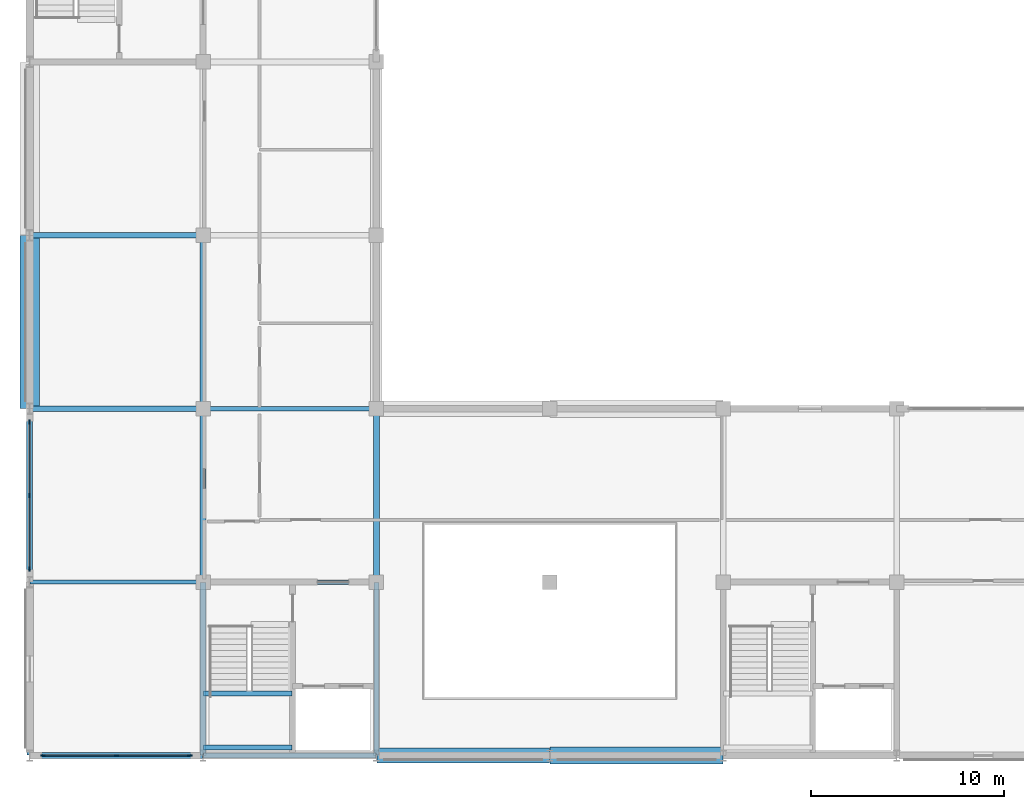
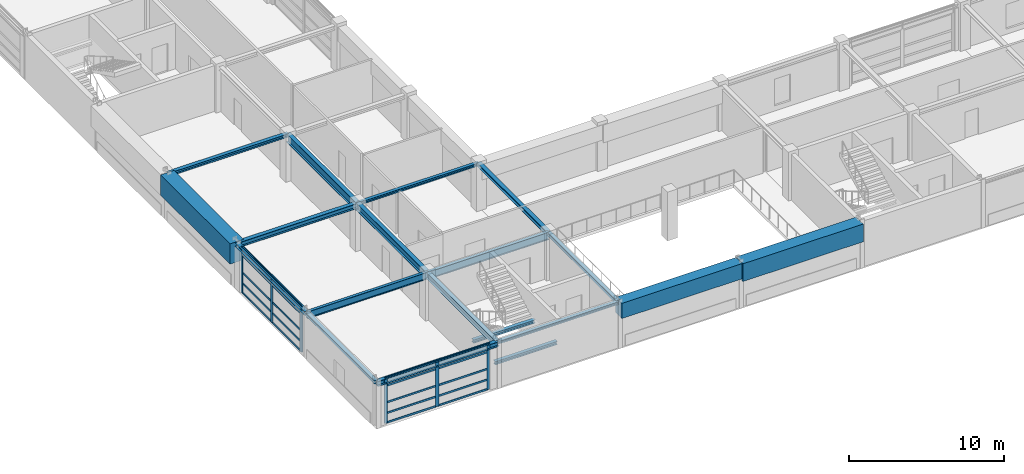
# One storey, part 19 of 79: 26 members, 19 beams, 2 elements without a shape of their own.
"""IFC4 building model written with IfcOpenShell, lengths in metres."""

from ifc_helpers import new_model, si_unit, direction, frame, origin, origin_2d, place, context, subcontext, project, spatial, rectangle, i_section, extrude, material, material_profile, profile_set, type_object, element, aggregate, save


model = new_model("IFC4")

# Units and contexts
model_context = context("Model", 3, precision=1e-05, world=origin(), true_north=direction((0.0, 1.0)))
body_context = subcontext(model_context, "Body", "Model", "MODEL_VIEW")
ifc_project = project(units=[si_unit("LENGTHUNIT", "METRE"), si_unit("AREAUNIT", "SQUARE_METRE"), si_unit("VOLUMEUNIT", "CUBIC_METRE"), si_unit("PLANEANGLEUNIT", "RADIAN"), si_unit("MASSUNIT", "GRAM", prefix="KILO")], contexts=[model_context])

# Site, building, storey
site_placement = place(None, origin())
site = spatial("IfcSite", under=ifc_project, at=site_placement, CompositionType="ELEMENT")
building_placement = place(site_placement, origin())
building = spatial("IfcBuilding", under=site, at=building_placement, Name="Palais des Congres Ocreval", CompositionType="ELEMENT")
storey_placement = place(building_placement, frame((0.0, 0.0, 4.320068359375)))
storey = spatial("IfcBuildingStorey", under=building, at=storey_placement, Name="L01", CompositionType="ELEMENT", Elevation=4.320068359375)

# Beams
ifc_material_1 = material(Name="Steel S355", Category="steel")
ifc_material_profile_1 = material_profile(ifc_material_1, i_section(OverallWidth=0.2099609375, OverallDepth=0.550048828125, WebThickness=0.010986328125, FlangeThickness=0.01708984375, at=origin_2d()), Name="IPE 550")
ifc_profile_set_1 = profile_set([ifc_material_profile_1], Name="Steel S355")
beam_type_1 = type_object("IfcBeamType", Name="Composite Beam IPE 550 Steel S355", PredefinedType="BEAM", material=ifc_profile_set_1)
beam_1_placement = place(storey_placement, frame((0.02001953125, 9.0, 3.304931640625), z_axis=(1.0, 0.0, 0.0), x_axis=(0.0, 1.0, 0.0)))
element("IfcBeam", 1, at=beam_1_placement, inside=storey, type_object=beam_type_1, Name="Beam B05 L01", PredefinedType="BEAM", context=body_context, shape_type="SweptSolid", body=[
    extrude(i_section(OverallWidth=0.2099609375, OverallDepth=0.550048828125, WebThickness=0.010986328125, FlangeThickness=0.01708984375, at=origin_2d()), origin(), (0.0, 0.0, 1.0), 8.9599609375),
])
ifc_material_profile_2 = material_profile(ifc_material_1, i_section(OverallWidth=0.219970703125, OverallDepth=0.60009765625, WebThickness=0.011962890625, FlangeThickness=0.01904296875, at=origin_2d()), Name="IPE 600")
ifc_profile_set_2 = profile_set([ifc_material_profile_2], Name="Steel S355")
beam_type_2 = type_object("IfcBeamType", Name="Composite Beam IPE 600 Steel S355", PredefinedType="BEAM", material=ifc_profile_set_2)
beam_2_placement = place(storey_placement, frame((9.02001953125, 9.0, 3.280029296875), z_axis=(1.0, 0.0, 0.0), x_axis=(0.0, 1.0, 0.0)))
element("IfcBeam", 2, at=beam_2_placement, inside=storey, type_object=beam_type_2, Name="Beam B06 L01", PredefinedType="BEAM", context=body_context, shape_type="SweptSolid", body=[
    extrude(i_section(OverallWidth=0.219970703125, OverallDepth=0.60009765625, WebThickness=0.011962890625, FlangeThickness=0.01904296875, at=origin_2d()), origin(), (0.0, 0.0, 1.0), 8.9599609375),
])

# Curtain wall, members
ifc_material_2 = material(Name="Anodized bronze aluminium and low-E glass", Category="glass")
curtain_wall_type = type_object("IfcCurtainWallType", Name="Unitised Curtain Wall 7900x3660", PredefinedType="USERDEFINED", material=ifc_material_2)
curtain_wall_1_placement = place(storey_placement, origin())
curtain_wall_1 = element("IfcCurtainWall", 3, at=curtain_wall_1_placement, inside=storey, type_object=curtain_wall_type, Name="Unitised Curtain Wall CW02 L01", ObjectType="UNITISED CURTAIN WALL", PredefinedType="USERDEFINED")
ifc_material_3 = material(Name="Anodized bronze aluminium", Category="aluminium")
ifc_material_profile_3 = material_profile(ifc_material_3, rectangle(XDim=0.074951171875, YDim=0.239990234375, at=origin_2d()), Name="ALU 75x240")
ifc_profile_set_3 = profile_set([ifc_material_profile_3], Name="Anodized bronze aluminium")
member_type_1 = type_object("IfcMemberType", Name="Curtain Wall Mullion ALU 75x240", PredefinedType="MULLION", material=ifc_profile_set_3)
member_1_placement = place(storey_placement, frame((8.3125, 0.0, 0.0), z_axis=(0.0, 0.0, 1.0), x_axis=(0.0, -1.0, 0.0)))
member_1 = element("IfcMember", 4, at=member_1_placement, type_object=member_type_1, Name="Curtain Wall Mullion ML01", PredefinedType="MULLION", context=body_context, shape_type="SweptSolid", body=[
    extrude(rectangle(XDim=0.074951171875, YDim=0.239990234375, at=origin_2d()), origin(), (0.0, 0.0, 1.0), 3.599853515625),
])
member_2_placement = place(storey_placement, frame((4.5, 0.0, 0.0), z_axis=(0.0, 0.0, 1.0), x_axis=(0.0, -1.0, 0.0)))
member_2 = element("IfcMember", 5, at=member_2_placement, type_object=member_type_1, Name="Curtain Wall Mullion ML01", PredefinedType="MULLION", context=body_context, shape_type="SweptSolid", body=[
    extrude(rectangle(XDim=0.074951171875, YDim=0.239990234375, at=origin_2d()), origin(), (0.0, 0.0, 1.0), 3.599853515625),
])
member_3_placement = place(storey_placement, frame((0.6875, 0.0, 0.0), z_axis=(0.0, 0.0, 1.0), x_axis=(0.0, -1.0, 0.0)))
member_3 = element("IfcMember", 6, at=member_3_placement, type_object=member_type_1, Name="Curtain Wall Mullion ML01", PredefinedType="MULLION", context=body_context, shape_type="SweptSolid", body=[
    extrude(rectangle(XDim=0.074951171875, YDim=0.239990234375, at=origin_2d()), origin(), (0.0, 0.0, 1.0), 3.599853515625),
])

curtain_wall_2_placement = place(storey_placement, origin())
curtain_wall_2 = element("IfcCurtainWall", 7, at=curtain_wall_2_placement, inside=storey, type_object=curtain_wall_type, Name="Unitised Curtain Wall CW02 L01", ObjectType="UNITISED CURTAIN WALL", PredefinedType="USERDEFINED")
member_4_placement = place(storey_placement, frame((0.0, 9.6875, 0.0), z_axis=(0.0, 0.0, 1.0), x_axis=(-1.0, 0.0, 0.0)))
member_4 = element("IfcMember", 8, at=member_4_placement, type_object=member_type_1, Name="Curtain Wall Mullion ML01", PredefinedType="MULLION", context=body_context, shape_type="SweptSolid", body=[
    extrude(rectangle(XDim=0.074951171875, YDim=0.239990234375, at=origin_2d()), origin(), (0.0, 0.0, 1.0), 3.599853515625),
])
member_5_placement = place(storey_placement, frame((0.0, 13.5, 0.0), z_axis=(0.0, 0.0, 1.0), x_axis=(-1.0, 0.0, 0.0)))
member_5 = element("IfcMember", 9, at=member_5_placement, type_object=member_type_1, Name="Curtain Wall Mullion ML01", PredefinedType="MULLION", context=body_context, shape_type="SweptSolid", body=[
    extrude(rectangle(XDim=0.074951171875, YDim=0.239990234375, at=origin_2d()), origin(), (0.0, 0.0, 1.0), 3.599853515625),
])
member_6_placement = place(storey_placement, frame((0.0, 17.3125, 0.0), z_axis=(0.0, 0.0, 1.0), x_axis=(-1.0, 0.0, 0.0)))
member_6 = element("IfcMember", 10, at=member_6_placement, type_object=member_type_1, Name="Curtain Wall Mullion ML01", PredefinedType="MULLION", context=body_context, shape_type="SweptSolid", body=[
    extrude(rectangle(XDim=0.074951171875, YDim=0.239990234375, at=origin_2d()), origin(), (0.0, 0.0, 1.0), 3.599853515625),
])

# Member
ifc_material_profile_4 = material_profile(ifc_material_3, rectangle(XDim=0.06005859375, YDim=0.14990234375, at=origin_2d()), Name="ALU 60x150")
ifc_profile_set_4 = profile_set([ifc_material_profile_4], Name="Anodized bronze aluminium")
member_type_2 = type_object("IfcMemberType", Name="Curtain Wall Transom ALU 60x150", PredefinedType="USERDEFINED", material=ifc_profile_set_4)
member_7_placement = place(storey_placement, frame((8.27490234375, 0.0, 0.030029296875), z_axis=(-1.0, 0.0, 0.0), x_axis=(0.0, -1.0, 0.0)))
member_7 = element("IfcMember", 11, at=member_7_placement, type_object=member_type_2, Name="Curtain Wall Transom TR01", ObjectType="TRANSOM", PredefinedType="USERDEFINED", context=body_context, shape_type="SweptSolid", body=[
    extrude(rectangle(XDim=0.06005859375, YDim=0.14990234375, at=origin_2d()), origin(), (0.0, 0.0, 1.0), 3.7373046875),
])

member_8_placement = place(storey_placement, frame((8.27490234375, 0.0, 0.780029296875), z_axis=(-1.0, 0.0, 0.0), x_axis=(0.0, -1.0, 0.0)))
member_8 = element("IfcMember", 12, at=member_8_placement, type_object=member_type_2, Name="Curtain Wall Transom TR01", ObjectType="TRANSOM", PredefinedType="USERDEFINED", context=body_context, shape_type="SweptSolid", body=[
    extrude(rectangle(XDim=0.06005859375, YDim=0.14990234375, at=origin_2d()), origin(), (0.0, 0.0, 1.0), 3.7373046875),
])

member_9_placement = place(storey_placement, frame((8.27490234375, 0.0, 1.622314453125), z_axis=(-1.0, 0.0, 0.0), x_axis=(0.0, -1.0, 0.0)))
member_9 = element("IfcMember", 13, at=member_9_placement, type_object=member_type_2, Name="Curtain Wall Transom TR01", ObjectType="TRANSOM", PredefinedType="USERDEFINED", context=body_context, shape_type="SweptSolid", body=[
    extrude(rectangle(XDim=0.06005859375, YDim=0.14990234375, at=origin_2d()), origin(), (0.0, 0.0, 1.0), 3.7373046875),
])

member_10_placement = place(storey_placement, frame((8.27490234375, 0.0, 2.949951171875), z_axis=(-1.0, 0.0, 0.0), x_axis=(0.0, -1.0, 0.0)))
member_10 = element("IfcMember", 14, at=member_10_placement, type_object=member_type_2, Name="Curtain Wall Transom TR01", ObjectType="TRANSOM", PredefinedType="USERDEFINED", context=body_context, shape_type="SweptSolid", body=[
    extrude(rectangle(XDim=0.06005859375, YDim=0.14990234375, at=origin_2d()), origin(), (0.0, 0.0, 1.0), 3.7373046875),
])

member_11_placement = place(storey_placement, frame((8.27490234375, 0.0, 3.56982421875), z_axis=(-1.0, 0.0, 0.0), x_axis=(0.0, -1.0, 0.0)))
member_11 = element("IfcMember", 15, at=member_11_placement, type_object=member_type_2, Name="Curtain Wall Transom TR01", ObjectType="TRANSOM", PredefinedType="USERDEFINED", context=body_context, shape_type="SweptSolid", body=[
    extrude(rectangle(XDim=0.06005859375, YDim=0.14990234375, at=origin_2d()), origin(), (0.0, 0.0, 1.0), 3.7373046875),
])

member_12_placement = place(storey_placement, frame((4.46240234375, 0.0, 0.030029296875), z_axis=(-1.0, 0.0, 0.0), x_axis=(0.0, -1.0, 0.0)))
member_12 = element("IfcMember", 16, at=member_12_placement, type_object=member_type_2, Name="Curtain Wall Transom TR01", ObjectType="TRANSOM", PredefinedType="USERDEFINED", context=body_context, shape_type="SweptSolid", body=[
    extrude(rectangle(XDim=0.06005859375, YDim=0.14990234375, at=origin_2d()), origin(), (0.0, 0.0, 1.0), 3.7373046875),
])

member_13_placement = place(storey_placement, frame((4.46240234375, 0.0, 0.780029296875), z_axis=(-1.0, 0.0, 0.0), x_axis=(0.0, -1.0, 0.0)))
member_13 = element("IfcMember", 17, at=member_13_placement, type_object=member_type_2, Name="Curtain Wall Transom TR01", ObjectType="TRANSOM", PredefinedType="USERDEFINED", context=body_context, shape_type="SweptSolid", body=[
    extrude(rectangle(XDim=0.06005859375, YDim=0.14990234375, at=origin_2d()), origin(), (0.0, 0.0, 1.0), 3.7373046875),
])

member_14_placement = place(storey_placement, frame((4.46240234375, 0.0, 1.622314453125), z_axis=(-1.0, 0.0, 0.0), x_axis=(0.0, -1.0, 0.0)))
member_14 = element("IfcMember", 18, at=member_14_placement, type_object=member_type_2, Name="Curtain Wall Transom TR01", ObjectType="TRANSOM", PredefinedType="USERDEFINED", context=body_context, shape_type="SweptSolid", body=[
    extrude(rectangle(XDim=0.06005859375, YDim=0.14990234375, at=origin_2d()), origin(), (0.0, 0.0, 1.0), 3.7373046875),
])

member_15_placement = place(storey_placement, frame((4.46240234375, 0.0, 2.949951171875), z_axis=(-1.0, 0.0, 0.0), x_axis=(0.0, -1.0, 0.0)))
member_15 = element("IfcMember", 19, at=member_15_placement, type_object=member_type_2, Name="Curtain Wall Transom TR01", ObjectType="TRANSOM", PredefinedType="USERDEFINED", context=body_context, shape_type="SweptSolid", body=[
    extrude(rectangle(XDim=0.06005859375, YDim=0.14990234375, at=origin_2d()), origin(), (0.0, 0.0, 1.0), 3.7373046875),
])

member_16_placement = place(storey_placement, frame((4.46240234375, 0.0, 3.56982421875), z_axis=(-1.0, 0.0, 0.0), x_axis=(0.0, -1.0, 0.0)))
member_16 = element("IfcMember", 20, at=member_16_placement, type_object=member_type_2, Name="Curtain Wall Transom TR01", ObjectType="TRANSOM", PredefinedType="USERDEFINED", context=body_context, shape_type="SweptSolid", body=[
    extrude(rectangle(XDim=0.06005859375, YDim=0.14990234375, at=origin_2d()), origin(), (0.0, 0.0, 1.0), 3.7373046875),
])

aggregate(curtain_wall_1, [member_1, member_2, member_3, member_7, member_8, member_9, member_10, member_11, member_12, member_13, member_14, member_15, member_16])

member_17_placement = place(storey_placement, frame((0.0, 9.72509765625, 0.030029296875), z_axis=(0.0, 1.0, 0.0), x_axis=(-1.0, 0.0, 0.0)))
member_17 = element("IfcMember", 21, at=member_17_placement, type_object=member_type_2, Name="Curtain Wall Transom TR01", ObjectType="TRANSOM", PredefinedType="USERDEFINED", context=body_context, shape_type="SweptSolid", body=[
    extrude(rectangle(XDim=0.06005859375, YDim=0.14990234375, at=origin_2d()), origin(), (0.0, 0.0, 1.0), 3.7373046875),
])

member_18_placement = place(storey_placement, frame((0.0, 9.72509765625, 0.780029296875), z_axis=(0.0, 1.0, 0.0), x_axis=(-1.0, 0.0, 0.0)))
member_18 = element("IfcMember", 22, at=member_18_placement, type_object=member_type_2, Name="Curtain Wall Transom TR01", ObjectType="TRANSOM", PredefinedType="USERDEFINED", context=body_context, shape_type="SweptSolid", body=[
    extrude(rectangle(XDim=0.06005859375, YDim=0.14990234375, at=origin_2d()), origin(), (0.0, 0.0, 1.0), 3.7373046875),
])

member_19_placement = place(storey_placement, frame((0.0, 9.72509765625, 1.622314453125), z_axis=(0.0, 1.0, 0.0), x_axis=(-1.0, 0.0, 0.0)))
member_19 = element("IfcMember", 23, at=member_19_placement, type_object=member_type_2, Name="Curtain Wall Transom TR01", ObjectType="TRANSOM", PredefinedType="USERDEFINED", context=body_context, shape_type="SweptSolid", body=[
    extrude(rectangle(XDim=0.06005859375, YDim=0.14990234375, at=origin_2d()), origin(), (0.0, 0.0, 1.0), 3.7373046875),
])

member_20_placement = place(storey_placement, frame((0.0, 9.72509765625, 2.949951171875), z_axis=(0.0, 1.0, 0.0), x_axis=(-1.0, 0.0, 0.0)))
member_20 = element("IfcMember", 24, at=member_20_placement, type_object=member_type_2, Name="Curtain Wall Transom TR01", ObjectType="TRANSOM", PredefinedType="USERDEFINED", context=body_context, shape_type="SweptSolid", body=[
    extrude(rectangle(XDim=0.06005859375, YDim=0.14990234375, at=origin_2d()), origin(), (0.0, 0.0, 1.0), 3.7373046875),
])

member_21_placement = place(storey_placement, frame((0.0, 9.72509765625, 3.56982421875), z_axis=(0.0, 1.0, 0.0), x_axis=(-1.0, 0.0, 0.0)))
member_21 = element("IfcMember", 25, at=member_21_placement, type_object=member_type_2, Name="Curtain Wall Transom TR01", ObjectType="TRANSOM", PredefinedType="USERDEFINED", context=body_context, shape_type="SweptSolid", body=[
    extrude(rectangle(XDim=0.06005859375, YDim=0.14990234375, at=origin_2d()), origin(), (0.0, 0.0, 1.0), 3.7373046875),
])

member_22_placement = place(storey_placement, frame((0.0, 13.53759765625, 0.030029296875), z_axis=(0.0, 1.0, 0.0), x_axis=(-1.0, 0.0, 0.0)))
member_22 = element("IfcMember", 26, at=member_22_placement, type_object=member_type_2, Name="Curtain Wall Transom TR01", ObjectType="TRANSOM", PredefinedType="USERDEFINED", context=body_context, shape_type="SweptSolid", body=[
    extrude(rectangle(XDim=0.06005859375, YDim=0.14990234375, at=origin_2d()), origin(), (0.0, 0.0, 1.0), 3.7373046875),
])

member_23_placement = place(storey_placement, frame((0.0, 13.53759765625, 0.780029296875), z_axis=(0.0, 1.0, 0.0), x_axis=(-1.0, 0.0, 0.0)))
member_23 = element("IfcMember", 27, at=member_23_placement, type_object=member_type_2, Name="Curtain Wall Transom TR01", ObjectType="TRANSOM", PredefinedType="USERDEFINED", context=body_context, shape_type="SweptSolid", body=[
    extrude(rectangle(XDim=0.06005859375, YDim=0.14990234375, at=origin_2d()), origin(), (0.0, 0.0, 1.0), 3.7373046875),
])

member_24_placement = place(storey_placement, frame((0.0, 13.53759765625, 1.622314453125), z_axis=(0.0, 1.0, 0.0), x_axis=(-1.0, 0.0, 0.0)))
member_24 = element("IfcMember", 28, at=member_24_placement, type_object=member_type_2, Name="Curtain Wall Transom TR01", ObjectType="TRANSOM", PredefinedType="USERDEFINED", context=body_context, shape_type="SweptSolid", body=[
    extrude(rectangle(XDim=0.06005859375, YDim=0.14990234375, at=origin_2d()), origin(), (0.0, 0.0, 1.0), 3.7373046875),
])

member_25_placement = place(storey_placement, frame((0.0, 13.53759765625, 2.949951171875), z_axis=(0.0, 1.0, 0.0), x_axis=(-1.0, 0.0, 0.0)))
member_25 = element("IfcMember", 29, at=member_25_placement, type_object=member_type_2, Name="Curtain Wall Transom TR01", ObjectType="TRANSOM", PredefinedType="USERDEFINED", context=body_context, shape_type="SweptSolid", body=[
    extrude(rectangle(XDim=0.06005859375, YDim=0.14990234375, at=origin_2d()), origin(), (0.0, 0.0, 1.0), 3.7373046875),
])

member_26_placement = place(storey_placement, frame((0.0, 13.53759765625, 3.56982421875), z_axis=(0.0, 1.0, 0.0), x_axis=(-1.0, 0.0, 0.0)))
member_26 = element("IfcMember", 30, at=member_26_placement, type_object=member_type_2, Name="Curtain Wall Transom TR01", ObjectType="TRANSOM", PredefinedType="USERDEFINED", context=body_context, shape_type="SweptSolid", body=[
    extrude(rectangle(XDim=0.06005859375, YDim=0.14990234375, at=origin_2d()), origin(), (0.0, 0.0, 1.0), 3.7373046875),
])

aggregate(curtain_wall_2, [member_4, member_5, member_6, member_17, member_18, member_19, member_20, member_21, member_22, member_23, member_24, member_25, member_26])

# Beams
ifc_material_profile_5 = material_profile(ifc_material_1, i_section(OverallWidth=0.260009765625, OverallDepth=0.260009765625, WebThickness=0.010009765625, FlangeThickness=0.017578125, at=origin_2d()), Name="HEB 260")
ifc_profile_set_5 = profile_set([ifc_material_profile_5], Name="Steel S355")
beam_type_3 = type_object("IfcBeamType", Name="Opening Lintel HEB 260 Steel S355", PredefinedType="LINTEL", material=ifc_profile_set_5)
for number, where, z_axis, x_axis, name in (
    (31, (0.0, 0.02001953125, 3.449951171875), (0.0, 1.0, 0.0), (-1.0, 0.0, 0.0), "Girder LN01 L01"),
    (32, (18.0, 0.02001953125, 3.449951171875), (0.0, 1.0, 0.0), (-1.0, 0.0, 0.0), "Girder LN01 L01"),
):
    element("IfcBeam", number, at=place(storey_placement, frame(where, z_axis=z_axis, x_axis=x_axis)), inside=storey, type_object=beam_type_3, Name=name, PredefinedType="LINTEL", context=body_context, shape_type="SweptSolid", body=[
        extrude(i_section(OverallWidth=0.260009765625, OverallDepth=0.260009765625, WebThickness=0.010009765625, FlangeThickness=0.017578125, at=origin_2d()), origin(), (0.0, 0.0, 1.0), 8.9599609375),
    ])
for number, where, z_axis, x_axis, name in (
    (33, (9.02001953125, 0.419921875, 1.58984375), (1.0, 0.0, 0.0), (0.0, 1.0, 0.0), "Stair Landing Support Beam ST01 L01-1"),
    (34, (9.02001953125, 3.22998046875, 1.58984375), (1.0, 0.0, 0.0), (0.0, 1.0, 0.0), "Stair Landing Support Beam ST01 L01-2"),
):
    element("IfcBeam", number, at=place(storey_placement, frame(where, z_axis=z_axis, x_axis=x_axis)), inside=storey, type_object=beam_type_3, Name=name, PredefinedType="LINTEL", context=body_context, shape_type="SweptSolid", body=[
        extrude(i_section(OverallWidth=0.260009765625, OverallDepth=0.260009765625, WebThickness=0.010009765625, FlangeThickness=0.017578125, at=origin_2d()), origin(), (0.0, 0.0, 1.0), 4.60986328125),
    ])
ifc_material_profile_6 = material_profile(ifc_material_1, i_section(OverallWidth=0.239990234375, OverallDepth=0.22998046875, WebThickness=0.007568359375, FlangeThickness=0.011962890625, at=origin_2d()), Name="HEA 240")
ifc_profile_set_6 = profile_set([ifc_material_profile_6], Name="Steel S355")
beam_type_4 = type_object("IfcBeamType", Name="Perimeter Spandrel HEA 240 Steel S355", PredefinedType="SPANDREL", material=ifc_profile_set_6)
for number, where, z_axis, x_axis, name in (
    (35, (9.02001953125, 0.0, 3.46484375), (1.0, 0.0, 0.0), (0.0, 1.0, 0.0), "Beam SP01 L01"),
    (36, (9.02001953125, 18.0, 3.46484375), (1.0, 0.0, 0.0), (0.0, 1.0, 0.0), "Beam SP01 L01"),
):
    element("IfcBeam", number, at=place(storey_placement, frame(where, z_axis=z_axis, x_axis=x_axis)), inside=storey, type_object=beam_type_4, Name=name, PredefinedType="SPANDREL", context=body_context, shape_type="SweptSolid", body=[
        extrude(i_section(OverallWidth=0.239990234375, OverallDepth=0.22998046875, WebThickness=0.007568359375, FlangeThickness=0.011962890625, at=origin_2d()), origin(), (0.0, 0.0, 1.0), 8.9599609375),
    ])
ifc_material_profile_7 = material_profile(ifc_material_1, i_section(OverallWidth=0.300048828125, OverallDepth=0.300048828125, WebThickness=0.010986328125, FlangeThickness=0.01904296875, at=origin_2d()), Name="HEB 300")
ifc_profile_set_7 = profile_set([ifc_material_profile_7], Name="Steel S355")
beam_type_5 = type_object("IfcBeamType", Name="Perimeter Spandrel HEB 300 Steel S355", PredefinedType="SPANDREL", material=ifc_profile_set_7)
for number, where, z_axis, x_axis, name in (
    (37, (0.0, 9.02001953125, 3.429931640625), (0.0, 1.0, 0.0), (-1.0, 0.0, 0.0), "Girder SP02 L01"),
    (38, (18.0, 9.02001953125, 3.429931640625), (0.0, 1.0, 0.0), (-1.0, 0.0, 0.0), "Girder SP02 L01"),
):
    element("IfcBeam", number, at=place(storey_placement, frame(where, z_axis=z_axis, x_axis=x_axis)), inside=storey, type_object=beam_type_5, Name=name, PredefinedType="SPANDREL", context=body_context, shape_type="SweptSolid", body=[
        extrude(i_section(OverallWidth=0.300048828125, OverallDepth=0.300048828125, WebThickness=0.010986328125, FlangeThickness=0.01904296875, at=origin_2d()), origin(), (0.0, 0.0, 1.0), 8.9599609375),
    ])
ifc_material_profile_8 = material_profile(ifc_material_1, i_section(OverallWidth=0.300048828125, OverallDepth=0.39990234375, WebThickness=0.013427734375, FlangeThickness=0.02392578125, at=origin_2d()), Name="HEB 400")
ifc_profile_set_8 = profile_set([ifc_material_profile_8], Name="Steel S355")
beam_type_6 = type_object("IfcBeamType", Name="Perimeter Spandrel HEB 400 Steel S355", PredefinedType="SPANDREL", material=ifc_profile_set_8)
for number, where, z_axis, x_axis, name in (
    (39, (0.02001953125, 0.0, 3.3798828125), (1.0, 0.0, 0.0), (0.0, 1.0, 0.0), "Beam SP04 L01"),
    (40, (0.02001953125, 18.0, 3.3798828125), (1.0, 0.0, 0.0), (0.0, 1.0, 0.0), "Beam SP04 L01"),
):
    element("IfcBeam", number, at=place(storey_placement, frame(where, z_axis=z_axis, x_axis=x_axis)), inside=storey, type_object=beam_type_6, Name=name, PredefinedType="SPANDREL", context=body_context, shape_type="SweptSolid", body=[
        extrude(i_section(OverallWidth=0.300048828125, OverallDepth=0.39990234375, WebThickness=0.013427734375, FlangeThickness=0.02392578125, at=origin_2d()), origin(), (0.0, 0.0, 1.0), 8.9599609375),
    ])
ifc_material_profile_9 = material_profile(ifc_material_1, i_section(OverallWidth=0.280029296875, OverallDepth=0.27001953125, WebThickness=0.008056640625, FlangeThickness=0.012939453125, at=origin_2d()), Name="HEA 280")
ifc_profile_set_9 = profile_set([ifc_material_profile_9], Name="Steel S355")
beam_type_7 = type_object("IfcBeamType", Name="Primary Beam HEA 280 Steel S355", PredefinedType="BEAM", material=ifc_profile_set_9)
beam_3_placement = place(storey_placement, frame((0.02001953125, 27.0, 3.44482421875), z_axis=(1.0, 0.0, 0.0), x_axis=(0.0, 1.0, 0.0)))
element("IfcBeam", 41, at=beam_3_placement, inside=storey, type_object=beam_type_7, Name="Beam B07 L01", PredefinedType="BEAM", context=body_context, shape_type="SweptSolid", body=[
    extrude(i_section(OverallWidth=0.280029296875, OverallDepth=0.27001953125, WebThickness=0.008056640625, FlangeThickness=0.012939453125, at=origin_2d()), origin(), (0.0, 0.0, 1.0), 8.9599609375),
])
ifc_material_profile_10 = material_profile(ifc_material_1, i_section(OverallWidth=0.300048828125, OverallDepth=0.489990234375, WebThickness=0.011962890625, FlangeThickness=0.02294921875, at=origin_2d()), Name="HEA 500")
ifc_profile_set_10 = profile_set([ifc_material_profile_10], Name="Steel S355")
beam_type_8 = type_object("IfcBeamType", Name="Primary Beam HEA 500 Steel S355", PredefinedType="BEAM", material=ifc_profile_set_10)
beam_4_placement = place(storey_placement, frame((9.0, 0.02001953125, 3.3349609375), z_axis=(0.0, 1.0, 0.0), x_axis=(-1.0, 0.0, 0.0)))
element("IfcBeam", 42, at=beam_4_placement, inside=storey, type_object=beam_type_8, Name="Girder B12 L01", PredefinedType="BEAM", context=body_context, shape_type="SweptSolid", body=[
    extrude(i_section(OverallWidth=0.300048828125, OverallDepth=0.489990234375, WebThickness=0.011962890625, FlangeThickness=0.02294921875, at=origin_2d()), origin(), (0.0, 0.0, 1.0), 8.9599609375),
])
ifc_material_profile_11 = material_profile(ifc_material_1, i_section(OverallWidth=0.300048828125, OverallDepth=0.590087890625, WebThickness=0.012939453125, FlangeThickness=0.02490234375, at=origin_2d()), Name="HEA 600")
ifc_profile_set_11 = profile_set([ifc_material_profile_11], Name="Steel S355")
beam_type_9 = type_object("IfcBeamType", Name="Primary Girder HEA 600 Steel S355", PredefinedType="BEAM", material=ifc_profile_set_11)
beam_5_placement = place(storey_placement, frame((9.0, 9.02001953125, 3.284912109375), z_axis=(0.0, 1.0, 0.0), x_axis=(-1.0, 0.0, 0.0)))
element("IfcBeam", 43, at=beam_5_placement, inside=storey, type_object=beam_type_9, Name="Girder B13 L01", PredefinedType="BEAM", context=body_context, shape_type="SweptSolid", body=[
    extrude(i_section(OverallWidth=0.300048828125, OverallDepth=0.590087890625, WebThickness=0.012939453125, FlangeThickness=0.02490234375, at=origin_2d()), origin(), (0.0, 0.0, 1.0), 8.9599609375),
])
ifc_material_profile_12 = material_profile(ifc_material_1, i_section(OverallWidth=0.300048828125, OverallDepth=0.68994140625, WebThickness=0.014404296875, FlangeThickness=0.027099609375, at=origin_2d()), Name="HEA 700")
ifc_profile_set_12 = profile_set([ifc_material_profile_12], Name="Steel S355")
beam_type_10 = type_object("IfcBeamType", Name="Primary Girder HEA 700 Steel S355", PredefinedType="BEAM", material=ifc_profile_set_12)
beam_6_placement = place(storey_placement, frame((9.0, 18.02001953125, 3.23486328125), z_axis=(0.0, 1.0, 0.0), x_axis=(-1.0, 0.0, 0.0)))
element("IfcBeam", 44, at=beam_6_placement, inside=storey, type_object=beam_type_10, Name="Girder B14 L01", PredefinedType="BEAM", context=body_context, shape_type="SweptSolid", body=[
    extrude(i_section(OverallWidth=0.300048828125, OverallDepth=0.68994140625, WebThickness=0.014404296875, FlangeThickness=0.027099609375, at=origin_2d()), origin(), (0.0, 0.0, 1.0), 8.9599609375),
])
ifc_material_4 = material(Name="Concrete C40/50", Category="concrete")
ifc_material_profile_13 = material_profile(ifc_material_4, rectangle(XDim=1.0, YDim=1.60009765625, at=origin_2d()), Name="RC 1000x1600")
ifc_profile_set_13 = profile_set([ifc_material_profile_13], Name="Concrete C40/50")
beam_type_11 = type_object("IfcBeamType", Name="Transfer T-Beam RC 1000x1600 Concrete C40/50", PredefinedType="T_BEAM", material=ifc_profile_set_13)
beam_7_placement = place(storey_placement, frame((0.0, 18.02001953125, 2.780029296875), z_axis=(0.0, 1.0, 0.0), x_axis=(-1.0, 0.0, 0.0)))
element("IfcBeam", 45, at=beam_7_placement, inside=storey, type_object=beam_type_11, Name="Girder TG08 L01", PredefinedType="T_BEAM", context=body_context, shape_type="SweptSolid", body=[
    extrude(rectangle(XDim=1.0, YDim=1.60009765625, at=origin_2d()), origin(), (0.0, 0.0, 1.0), 8.9599609375),
])
ifc_material_profile_14 = material_profile(ifc_material_4, rectangle(XDim=0.800048828125, YDim=1.199951171875, at=origin_2d()), Name="RC 800x1200")
ifc_profile_set_14 = profile_set([ifc_material_profile_14], Name="Concrete C40/50")
beam_type_12 = type_object("IfcBeamType", Name="Transfer T-Beam RC 800x1200 Concrete C40/50", PredefinedType="T_BEAM", material=ifc_profile_set_14)
beam_8_placement = place(storey_placement, frame((18.02001953125, 0.0, 2.97998046875), z_axis=(1.0, 0.0, 0.0), x_axis=(0.0, 1.0, 0.0)))
element("IfcBeam", 46, at=beam_8_placement, inside=storey, type_object=beam_type_12, Name="Beam TG06 L01", PredefinedType="T_BEAM", context=body_context, shape_type="SweptSolid", body=[
    extrude(rectangle(XDim=0.800048828125, YDim=1.199951171875, at=origin_2d()), origin(), (0.0, 0.0, 1.0), 8.9599609375),
])
ifc_material_profile_15 = material_profile(ifc_material_4, rectangle(XDim=0.89990234375, YDim=1.39990234375, at=origin_2d()), Name="RC 900x1400")
ifc_profile_set_15 = profile_set([ifc_material_profile_15], Name="Concrete C40/50")
beam_type_13 = type_object("IfcBeamType", Name="Transfer T-Beam RC 900x1400 Concrete C40/50", PredefinedType="T_BEAM", material=ifc_profile_set_15)
beam_9_placement = place(storey_placement, frame((27.02001953125, 0.0, 2.8798828125), z_axis=(1.0, 0.0, 0.0), x_axis=(0.0, 1.0, 0.0)))
element("IfcBeam", 47, at=beam_9_placement, inside=storey, type_object=beam_type_13, Name="Beam TG07 L01", PredefinedType="T_BEAM", context=body_context, shape_type="SweptSolid", body=[
    extrude(rectangle(XDim=0.89990234375, YDim=1.39990234375, at=origin_2d()), origin(), (0.0, 0.0, 1.0), 8.9599609375),
])

save(model, "model.ifc")
